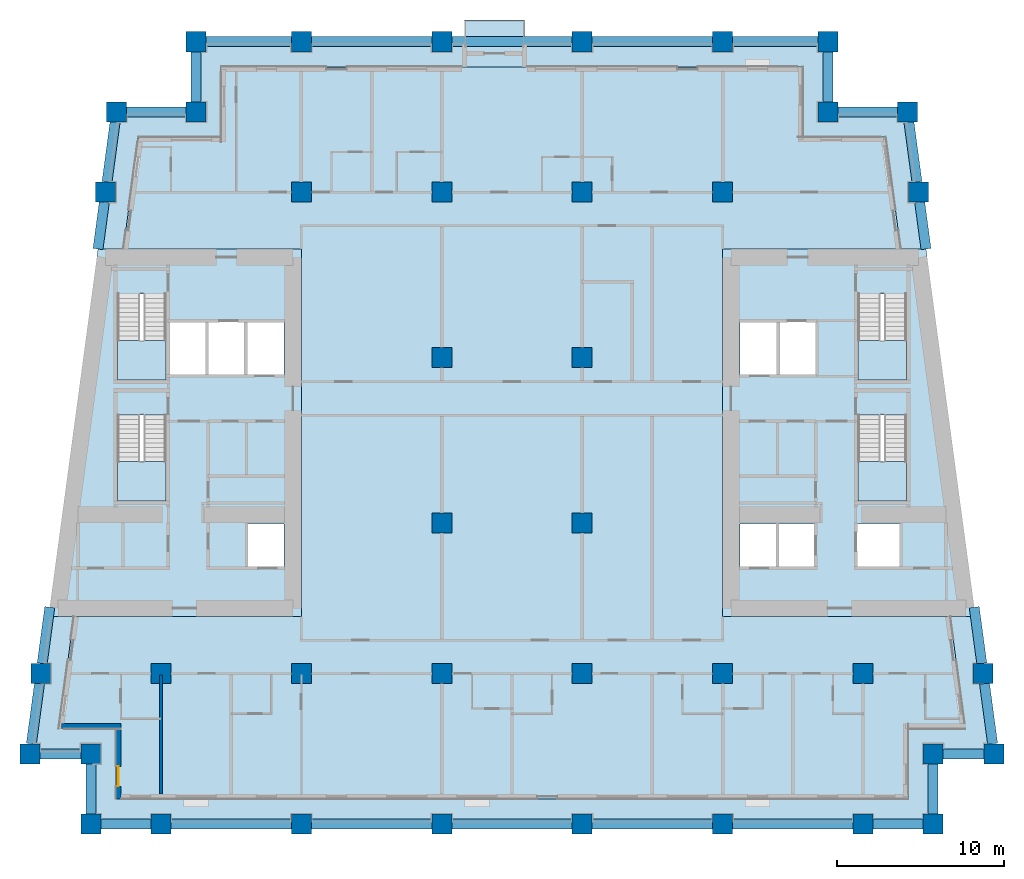
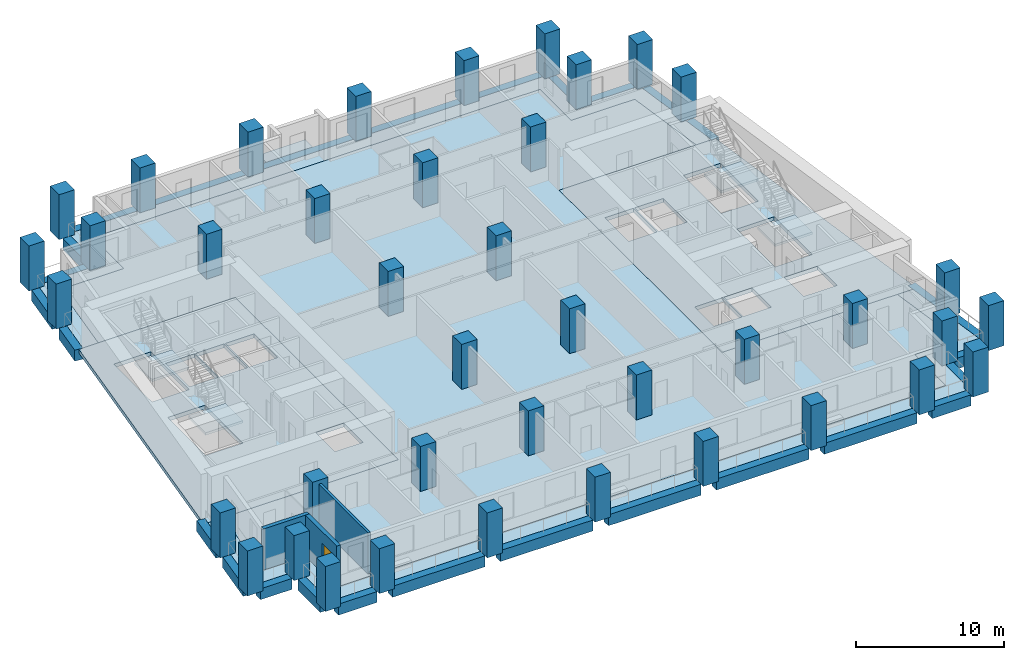
# One storey, part 1 of 13: 40 columns, 28 beams, 10 slabs, 3 walls, 1 door, 1 opening, 4 elements without a shape of their own.
"""IFC4 building model written with IfcOpenShell, lengths in metres."""

from ifc_helpers import new_model, si_unit, direction, frame, frame_2d, origin, origin_2d, place, context, subcontext, project, spatial, polyline, rectangle, outline, extrude, material, layer, layer_set, material_profile, profile_set, type_object, element, fill, aggregate, save


model = new_model("IFC4")

# Units and contexts
model_context = context("Model", 3, precision=1e-05, world=origin(), true_north=direction((0.0, 1.0)))
body_context = subcontext(model_context, "Body", "Model", "MODEL_VIEW")
ifc_project = project(units=[si_unit("LENGTHUNIT", "METRE"), si_unit("AREAUNIT", "SQUARE_METRE"), si_unit("VOLUMEUNIT", "CUBIC_METRE"), si_unit("PLANEANGLEUNIT", "RADIAN"), si_unit("MASSUNIT", "GRAM", prefix="KILO")], contexts=[model_context])

# Site, building, storey
site_placement = place(None, origin())
site = spatial("IfcSite", under=ifc_project, at=site_placement, CompositionType="ELEMENT")
building_placement = place(site_placement, origin())
building = spatial("IfcBuilding", under=site, at=building_placement, Name="Candeia Pilgrim Tower and Theatre", CompositionType="ELEMENT")
storey_placement = place(building_placement, frame((0.0, 0.0, 128.0)))
storey = spatial("IfcBuildingStorey", under=building, at=storey_placement, Name="L30", CompositionType="ELEMENT", Elevation=128.0)

# Columns
ifc_material_1 = material(Name="Concrete C70/85", Category="concrete")
ifc_material_profile_1 = material_profile(ifc_material_1, rectangle(XDim=1.199951171875, YDim=1.199951171875, at=origin_2d()))
ifc_profile_set_1 = profile_set([ifc_material_profile_1], Name="Concrete C70/85")
column_type = type_object("IfcColumnType", Name="RC 1200x1200 C70/85", PredefinedType="COLUMN", material=ifc_profile_set_1)
for number, where, z_axis, x_axis, name in (
    (1, (92.39990234375, 98.0, 0.0), (0.0, 0.0, 1.0), (1.0, 0.0, 0.0), "Column A1"),
    (2, (100.800048828125, 98.0, 0.0), (0.0, 0.0, 1.0), (1.0, 0.0, 0.0), "Column A2"),
    (3, (109.199951171875, 98.0, 0.0), (0.0, 0.0, 1.0), (1.0, 0.0, 0.0), "Column A3"),
    (4, (117.60009765625, 98.0, 0.0), (0.0, 0.0, 1.0), (1.0, 0.0, 0.0), "Column A4"),
    (5, (126.0, 98.0, 0.0), (0.0, 0.0, 1.0), (1.0, 0.0, 0.0), "Column A5"),
    (6, (134.39990234375, 98.0, 0.0), (0.0, 0.0, 1.0), (1.0, 0.0, 0.0), "Column A6"),
    (7, (88.199951171875, 98.0, 0.0), (0.0, 0.0, 1.0), (1.0, 0.0, 0.0), "Column AW"),
    (8, (138.60009765625, 98.0, 0.0), (0.0, 0.0, 1.0), (1.0, 0.0, 0.0), "Column AE"),
    (9, (88.199951171875, 102.199951171875, 0.0), (0.0, 0.0, 1.0), (1.0, 0.0, 0.0), "Column NSW"),
    (10, (138.60009765625, 102.199951171875, 0.0), (0.0, 0.0, 1.0), (1.0, 0.0, 0.0), "Column NSE"),
    (11, (94.5, 140.60009765625, 0.0), (0.0, 0.0, 1.0), (1.0, 0.0, 0.0), "Column NNW"),
    (12, (132.300048828125, 140.60009765625, 0.0), (0.0, 0.0, 1.0), (1.0, 0.0, 0.0), "Column NNE"),
    (13, (84.5654296875, 102.199951171875, 0.0), (0.0, 0.0, 1.0), (1.0, 0.0, 0.0), "Column LSW"),
    (14, (142.234619140625, 102.199951171875, 0.0), (0.0, 0.0, 1.0), (1.0, 0.0, 0.0), "Column LSE"),
    (15, (89.734619140625, 140.60009765625, 0.0), (0.0, 0.0, 1.0), (1.0, 0.0, 0.0), "Column LNW"),
    (16, (137.0654296875, 140.60009765625, 0.0), (0.0, 0.0, 1.0), (1.0, 0.0, 0.0), "Column LNE"),
    (17, (92.39990234375, 107.0, 0.0), (0.0, 0.0, 1.0), (1.0, 0.0, 0.0), "Column B1"),
    (18, (100.800048828125, 107.0, 0.0), (0.0, 0.0, 1.0), (1.0, 0.0, 0.0), "Column B2"),
    (19, (109.199951171875, 107.0, 0.0), (0.0, 0.0, 1.0), (1.0, 0.0, 0.0), "Column B3"),
    (20, (117.60009765625, 107.0, 0.0), (0.0, 0.0, 1.0), (1.0, 0.0, 0.0), "Column B4"),
    (21, (126.0, 107.0, 0.0), (0.0, 0.0, 1.0), (1.0, 0.0, 0.0), "Column B5"),
    (22, (134.39990234375, 107.0, 0.0), (0.0, 0.0, 1.0), (1.0, 0.0, 0.0), "Column B6"),
    (23, (85.21142578125, 107.0, 0.0), (0.0, 0.0, 1.0), (1.0, 0.0, 0.0), "Column BW"),
    (24, (141.58837890625, 107.0, 0.0), (0.0, 0.0, 1.0), (1.0, 0.0, 0.0), "Column BE"),
    (25, (109.199951171875, 116.0, 0.0), (0.0, 0.0, 1.0), (1.0, 0.0, 0.0), "Column C3"),
    (26, (117.60009765625, 116.0, 0.0), (0.0, 0.0, 1.0), (1.0, 0.0, 0.0), "Column C4"),
    (27, (109.199951171875, 125.89990234375, 0.0), (0.0, 0.0, 1.0), (1.0, 0.0, 0.0), "Column D3"),
    (28, (117.60009765625, 125.89990234375, 0.0), (0.0, 0.0, 1.0), (1.0, 0.0, 0.0), "Column D4"),
    (29, (100.800048828125, 135.800048828125, 0.0), (0.0, 0.0, 1.0), (1.0, 0.0, 0.0), "Column E2"),
    (30, (109.199951171875, 135.800048828125, 0.0), (0.0, 0.0, 1.0), (1.0, 0.0, 0.0), "Column E3"),
    (31, (117.60009765625, 135.800048828125, 0.0), (0.0, 0.0, 1.0), (1.0, 0.0, 0.0), "Column E4"),
    (32, (126.0, 135.800048828125, 0.0), (0.0, 0.0, 1.0), (1.0, 0.0, 0.0), "Column E5"),
    (33, (89.08837890625, 135.800048828125, 0.0), (0.0, 0.0, 1.0), (1.0, 0.0, 0.0), "Column EW"),
    (34, (137.71142578125, 135.800048828125, 0.0), (0.0, 0.0, 1.0), (1.0, 0.0, 0.0), "Column EE"),
    (35, (100.800048828125, 144.800048828125, 0.0), (0.0, 0.0, 1.0), (1.0, 0.0, 0.0), "Column F2"),
    (36, (109.199951171875, 144.800048828125, 0.0), (0.0, 0.0, 1.0), (1.0, 0.0, 0.0), "Column F3"),
    (37, (117.60009765625, 144.800048828125, 0.0), (0.0, 0.0, 1.0), (1.0, 0.0, 0.0), "Column F4"),
    (38, (126.0, 144.800048828125, 0.0), (0.0, 0.0, 1.0), (1.0, 0.0, 0.0), "Column F5"),
    (39, (94.5, 144.800048828125, 0.0), (0.0, 0.0, 1.0), (1.0, 0.0, 0.0), "Column FW"),
    (40, (132.300048828125, 144.800048828125, 0.0), (0.0, 0.0, 1.0), (1.0, 0.0, 0.0), "Column FE"),
):
    element("IfcColumn", number, at=place(storey_placement, frame(where, z_axis=z_axis, x_axis=x_axis)), inside=storey, type_object=column_type, Name=name, PredefinedType="COLUMN", context=body_context, shape_type="SweptSolid", body=[
        extrude(rectangle(XDim=1.199951171875, YDim=1.199951171875, at=origin_2d()), origin(), (0.0, 0.0, 1.0), 3.699951171875),
    ])

# Beams
ifc_material_profile_2 = material_profile(ifc_material_1, rectangle(XDim=0.60009765625, YDim=0.89990234375, at=origin_2d()))
ifc_profile_set_2 = profile_set([ifc_material_profile_2], Name="Concrete C70/85")
beam_type = type_object("IfcBeamType", Name="RC 600x900 C70/85", PredefinedType="BEAM", material=ifc_profile_set_2)
beam_1_placement = place(storey_placement, frame((88.800048828125, 98.0, -0.449951171875), z_axis=(1.0, 0.0, 0.0), x_axis=(0.0, 1.0, 0.0)))
element("IfcBeam", 41, at=beam_1_placement, inside=storey, type_object=beam_type, Name="Spandrel beam L30-01", PredefinedType="BEAM", context=body_context, shape_type="SweptSolid", body=[
    extrude(rectangle(XDim=0.60009765625, YDim=0.89990234375, at=origin_2d()), origin(), (0.0, 0.0, 1.0), 3.0),
])
beam_2_placement = place(storey_placement, frame((93.0, 98.0, -0.449951171875), z_axis=(1.0, 0.0, 0.0), x_axis=(0.0, 1.0, 0.0)))
element("IfcBeam", 42, at=beam_2_placement, inside=storey, type_object=beam_type, Name="Spandrel beam L30-02", PredefinedType="BEAM", context=body_context, shape_type="SweptSolid", body=[
    extrude(rectangle(XDim=0.60009765625, YDim=0.89990234375, at=origin_2d()), origin(), (0.0, 0.0, 1.0), 7.199951171875),
])
beam_3_placement = place(storey_placement, frame((101.39990234375, 98.0, -0.449951171875), z_axis=(1.0, 0.0, 0.0), x_axis=(0.0, 1.0, 0.0)))
element("IfcBeam", 43, at=beam_3_placement, inside=storey, type_object=beam_type, Name="Spandrel beam L30-03", PredefinedType="BEAM", context=body_context, shape_type="SweptSolid", body=[
    extrude(rectangle(XDim=0.60009765625, YDim=0.89990234375, at=origin_2d()), origin(), (0.0, 0.0, 1.0), 7.2001953125),
])
for number, where, z_axis, x_axis, name in (
    (44, (109.800048828125, 98.0, -0.449951171875), (1.0, 0.0, 0.0), (0.0, 1.0, 0.0), "Spandrel beam L30-04"),
    (45, (118.199951171875, 98.0, -0.449951171875), (1.0, 0.0, 0.0), (0.0, 1.0, 0.0), "Spandrel beam L30-05"),
    (46, (126.60009765625, 98.0, -0.449951171875), (1.0, 0.0, 0.0), (0.0, 1.0, 0.0), "Spandrel beam L30-06"),
):
    element("IfcBeam", number, at=place(storey_placement, frame(where, z_axis=z_axis, x_axis=x_axis)), inside=storey, type_object=beam_type, Name=name, PredefinedType="BEAM", context=body_context, shape_type="SweptSolid", body=[
        extrude(rectangle(XDim=0.60009765625, YDim=0.89990234375, at=origin_2d()), origin(), (0.0, 0.0, 1.0), 7.199951171875),
    ])
for number, where, z_axis, x_axis, name in (
    (47, (135.0, 98.0, -0.449951171875), (1.0, 0.0, 0.0), (0.0, 1.0, 0.0), "Spandrel beam L30-07"),
    (48, (138.60009765625, 98.60009765625, -0.449951171875), (0.0, 1.0, 0.0), (-1.0, 0.0, 0.0), "Spandrel beam L30-08"),
):
    element("IfcBeam", number, at=place(storey_placement, frame(where, z_axis=z_axis, x_axis=x_axis)), inside=storey, type_object=beam_type, Name=name, PredefinedType="BEAM", context=body_context, shape_type="SweptSolid", body=[
        extrude(rectangle(XDim=0.60009765625, YDim=0.89990234375, at=origin_2d()), origin(), (0.0, 0.0, 1.0), 3.0),
    ])
beam_4_placement = place(storey_placement, frame((139.199951171875, 102.199951171875, -0.449951171875), z_axis=(1.0, 0.0, 0.0), x_axis=(0.0, 1.0, 0.0)))
element("IfcBeam", 49, at=beam_4_placement, inside=storey, type_object=beam_type, Name="Spandrel beam L30-09", PredefinedType="BEAM", context=body_context, shape_type="SweptSolid", body=[
    extrude(rectangle(XDim=0.60009765625, YDim=0.89990234375, at=origin_2d()), origin(), (0.0, 0.0, 1.0), 2.4345703125),
])
beam_5_placement = place(storey_placement, frame((142.15380859375, 102.800048828125, -0.449951171875), z_axis=(-0.133418359924, 0.991059807093, 0.0), x_axis=(-0.991059807093, -0.133418359924, 0.0)))
element("IfcBeam", 50, at=beam_5_placement, inside=storey, type_object=beam_type, Name="Spandrel beam L30-10", PredefinedType="BEAM", context=body_context, shape_type="SweptSolid", body=[
    extrude(rectangle(XDim=0.60009765625, YDim=0.89990234375, at=origin_2d()), origin(), (0.0, 0.0, 1.0), 3.63232421875),
])
beam_6_placement = place(storey_placement, frame((141.5078125, 107.60009765625, -0.449951171875), z_axis=(-0.133458165992, 0.99105444751, 0.0), x_axis=(-0.99105444751, -0.133458165992, 0.0)))
element("IfcBeam", 51, at=beam_6_placement, inside=storey, type_object=beam_type, Name="Spandrel beam L30-11", PredefinedType="BEAM", context=body_context, shape_type="SweptSolid", body=[
    extrude(rectangle(XDim=0.60009765625, YDim=0.89990234375, at=origin_2d()), origin(), (0.0, 0.0, 1.0), 3.39697265625),
])
beam_7_placement = place(storey_placement, frame((138.169189453125, 132.39990234375, -0.449951171875), z_axis=(-0.133420173099, 0.991059562998, 0.0), x_axis=(-0.991059562998, -0.133420173099, 0.0)))
element("IfcBeam", 52, at=beam_7_placement, inside=storey, type_object=beam_type, Name="Spandrel beam L30-12", PredefinedType="BEAM", context=body_context, shape_type="SweptSolid", body=[
    extrude(rectangle(XDim=0.60009765625, YDim=0.89990234375, at=origin_2d()), origin(), (0.0, 0.0, 1.0), 2.8251953125),
])
beam_8_placement = place(storey_placement, frame((137.630859375, 136.39990234375, -0.449951171875), z_axis=(-0.133409473196, 0.991061003401, 0.0), x_axis=(-0.991061003401, -0.133409473196, 0.0)))
element("IfcBeam", 53, at=beam_8_placement, inside=storey, type_object=beam_type, Name="Spandrel beam L30-13", PredefinedType="BEAM", context=body_context, shape_type="SweptSolid", body=[
    extrude(rectangle(XDim=0.60009765625, YDim=0.89990234375, at=origin_2d()), origin(), (0.0, 0.0, 1.0), 3.632568359375),
])
beam_9_placement = place(storey_placement, frame((136.46533203125, 140.60009765625, -0.449951171875), z_axis=(-1.0, 0.0, 0.0), x_axis=(0.0, -1.0, 0.0)))
element("IfcBeam", 54, at=beam_9_placement, inside=storey, type_object=beam_type, Name="Spandrel beam L30-14", PredefinedType="BEAM", context=body_context, shape_type="SweptSolid", body=[
    extrude(rectangle(XDim=0.60009765625, YDim=0.89990234375, at=origin_2d()), origin(), (0.0, 0.0, 1.0), 3.5654296875),
])
beam_10_placement = place(storey_placement, frame((132.300048828125, 141.199951171875, -0.449951171875), z_axis=(0.0, 1.0, 0.0), x_axis=(-1.0, 0.0, 0.0)))
element("IfcBeam", 55, at=beam_10_placement, inside=storey, type_object=beam_type, Name="Spandrel beam L30-15", PredefinedType="BEAM", context=body_context, shape_type="SweptSolid", body=[
    extrude(rectangle(XDim=0.60009765625, YDim=0.89990234375, at=origin_2d()), origin(), (0.0, 0.0, 1.0), 3.0),
])
beam_11_placement = place(storey_placement, frame((131.699951171875, 144.800048828125, -0.449951171875), z_axis=(-1.0, 0.0, 0.0), x_axis=(0.0, -1.0, 0.0)))
element("IfcBeam", 56, at=beam_11_placement, inside=storey, type_object=beam_type, Name="Spandrel beam L30-16", PredefinedType="BEAM", context=body_context, shape_type="SweptSolid", body=[
    extrude(rectangle(XDim=0.60009765625, YDim=0.89990234375, at=origin_2d()), origin(), (0.0, 0.0, 1.0), 5.099853515625),
])
for number, where, z_axis, x_axis, name in (
    (57, (125.39990234375, 144.800048828125, -0.449951171875), (-1.0, 0.0, 0.0), (0.0, -1.0, 0.0), "Spandrel beam L30-17"),
    (58, (117.0, 144.800048828125, -0.449951171875), (-1.0, 0.0, 0.0), (0.0, -1.0, 0.0), "Spandrel beam L30-18"),
):
    element("IfcBeam", number, at=place(storey_placement, frame(where, z_axis=z_axis, x_axis=x_axis)), inside=storey, type_object=beam_type, Name=name, PredefinedType="BEAM", context=body_context, shape_type="SweptSolid", body=[
        extrude(rectangle(XDim=0.60009765625, YDim=0.89990234375, at=origin_2d()), origin(), (0.0, 0.0, 1.0), 7.199951171875),
    ])
beam_12_placement = place(storey_placement, frame((108.60009765625, 144.800048828125, -0.449951171875), z_axis=(-1.0, 0.0, 0.0), x_axis=(0.0, -1.0, 0.0)))
element("IfcBeam", 59, at=beam_12_placement, inside=storey, type_object=beam_type, Name="Spandrel beam L30-19", PredefinedType="BEAM", context=body_context, shape_type="SweptSolid", body=[
    extrude(rectangle(XDim=0.60009765625, YDim=0.89990234375, at=origin_2d()), origin(), (0.0, 0.0, 1.0), 7.2001953125),
])
beam_13_placement = place(storey_placement, frame((100.199951171875, 144.800048828125, -0.449951171875), z_axis=(-1.0, 0.0, 0.0), x_axis=(0.0, -1.0, 0.0)))
element("IfcBeam", 60, at=beam_13_placement, inside=storey, type_object=beam_type, Name="Spandrel beam L30-20", PredefinedType="BEAM", context=body_context, shape_type="SweptSolid", body=[
    extrude(rectangle(XDim=0.60009765625, YDim=0.89990234375, at=origin_2d()), origin(), (0.0, 0.0, 1.0), 5.099853515625),
])
beam_14_placement = place(storey_placement, frame((94.5, 144.199951171875, -0.449951171875), z_axis=(0.0, -1.0, 0.0), x_axis=(1.0, 0.0, 0.0)))
element("IfcBeam", 61, at=beam_14_placement, inside=storey, type_object=beam_type, Name="Spandrel beam L30-21", PredefinedType="BEAM", context=body_context, shape_type="SweptSolid", body=[
    extrude(rectangle(XDim=0.60009765625, YDim=0.89990234375, at=origin_2d()), origin(), (0.0, 0.0, 1.0), 3.0),
])
beam_15_placement = place(storey_placement, frame((93.89990234375, 140.60009765625, -0.449951171875), z_axis=(-1.0, 0.0, 0.0), x_axis=(0.0, -1.0, 0.0)))
element("IfcBeam", 62, at=beam_15_placement, inside=storey, type_object=beam_type, Name="Spandrel beam L30-22", PredefinedType="BEAM", context=body_context, shape_type="SweptSolid", body=[
    extrude(rectangle(XDim=0.60009765625, YDim=0.89990234375, at=origin_2d()), origin(), (0.0, 0.0, 1.0), 3.565185546875),
])
beam_16_placement = place(storey_placement, frame((89.65380859375, 140.0, -0.449951171875), z_axis=(-0.133409473196, -0.991061003401, 0.0), x_axis=(0.991061003401, -0.133409473196, 0.0)))
element("IfcBeam", 63, at=beam_16_placement, inside=storey, type_object=beam_type, Name="Spandrel beam L30-23", PredefinedType="BEAM", context=body_context, shape_type="SweptSolid", body=[
    extrude(rectangle(XDim=0.60009765625, YDim=0.89990234375, at=origin_2d()), origin(), (0.0, 0.0, 1.0), 3.632568359375),
])
beam_17_placement = place(storey_placement, frame((89.0078125, 135.199951171875, -0.449951171875), z_axis=(-0.133420173099, -0.991059562998, 0.0), x_axis=(0.991059562998, -0.133420173099, 0.0)))
element("IfcBeam", 64, at=beam_17_placement, inside=storey, type_object=beam_type, Name="Spandrel beam L30-24", PredefinedType="BEAM", context=body_context, shape_type="SweptSolid", body=[
    extrude(rectangle(XDim=0.60009765625, YDim=0.89990234375, at=origin_2d()), origin(), (0.0, 0.0, 1.0), 2.8251953125),
])
beam_18_placement = place(storey_placement, frame((85.74560546875, 110.966796875, -0.449951171875), z_axis=(-0.133458165992, -0.99105444751, 0.0), x_axis=(0.99105444751, -0.133458165992, 0.0)))
element("IfcBeam", 65, at=beam_18_placement, inside=storey, type_object=beam_type, Name="Spandrel beam L30-25", PredefinedType="BEAM", context=body_context, shape_type="SweptSolid", body=[
    extrude(rectangle(XDim=0.60009765625, YDim=0.89990234375, at=origin_2d()), origin(), (0.0, 0.0, 1.0), 3.39697265625),
])
beam_19_placement = place(storey_placement, frame((85.130859375, 106.39990234375, -0.449951171875), z_axis=(-0.133418359924, -0.991059807093, 0.0), x_axis=(0.991059807093, -0.133418359924, 0.0)))
element("IfcBeam", 66, at=beam_19_placement, inside=storey, type_object=beam_type, Name="Spandrel beam L30-26", PredefinedType="BEAM", context=body_context, shape_type="SweptSolid", body=[
    extrude(rectangle(XDim=0.60009765625, YDim=0.89990234375, at=origin_2d()), origin(), (0.0, 0.0, 1.0), 3.63232421875),
])
beam_20_placement = place(storey_placement, frame((85.165283203125, 102.199951171875, -0.449951171875), z_axis=(1.0, 0.0, 0.0), x_axis=(0.0, 1.0, 0.0)))
element("IfcBeam", 67, at=beam_20_placement, inside=storey, type_object=beam_type, Name="Spandrel beam L30-27", PredefinedType="BEAM", context=body_context, shape_type="SweptSolid", body=[
    extrude(rectangle(XDim=0.60009765625, YDim=0.89990234375, at=origin_2d()), origin(), (0.0, 0.0, 1.0), 2.434814453125),
])
beam_21_placement = place(storey_placement, frame((88.199951171875, 101.60009765625, -0.449951171875), z_axis=(0.0, -1.0, 0.0), x_axis=(1.0, 0.0, 0.0)))
element("IfcBeam", 68, at=beam_21_placement, inside=storey, type_object=beam_type, Name="Spandrel beam L30-28", PredefinedType="BEAM", context=body_context, shape_type="SweptSolid", body=[
    extrude(rectangle(XDim=0.60009765625, YDim=0.89990234375, at=origin_2d()), origin(), (0.0, 0.0, 1.0), 3.0),
])

# Slabs
ifc_material_2 = material(Name="Concrete C40/50", Category="concrete")
ifc_layer_1 = layer(ifc_material_2, 0.25)
ifc_layer_set_1 = layer_set([ifc_layer_1], Name="BK1 balcony slab 250")
slab_type_1 = type_object("IfcSlabType", Name="BK1 balcony slab 250", PredefinedType="USERDEFINED", material=ifc_layer_set_1)
slab_1_placement = place(storey_placement, frame((0.0, 0.0, -0.25)))
element("IfcSlab", 69, at=slab_1_placement, inside=storey, type_object=slab_type_1, Name="Balcony L30", ObjectType="BALCONY", PredefinedType="USERDEFINED", context=body_context, shape_type="SweptSolid", body=[
    extrude(outline(polyline([(110.550048828125, 144.5), (114.14990234375, 144.5), (114.14990234375, 146.10009765625), (110.550048828125, 146.10009765625), (110.550048828125, 144.5)])), origin(), (0.0, 0.0, 1.0), 0.25),
])
ifc_material_3 = material(Name="Concrete C60/75", Category="concrete")
ifc_layer_2 = layer(ifc_material_3, 0.320068359375)
ifc_layer_set_2 = layer_set([ifc_layer_2], Name="FS-CORE 320 core floor")
slab_type_2 = type_object("IfcSlabType", Name="FS-CORE 320 core floor", PredefinedType="FLOOR", material=ifc_layer_set_2)
slab_2_placement = place(storey_placement, frame((0.0, 0.0, -0.320068359375)))
element("IfcSlab", 70, at=slab_2_placement, inside=storey, type_object=slab_type_2, Name="Core floor W L30", PredefinedType="FLOOR", context=body_context, shape_type="SweptSolid", body=[
    extrude(outline(polyline([(100.800048828125, 132.39990234375), (100.800048828125, 110.39990234375), (85.669189453125, 110.39990234375), (88.630859375, 132.39990234375), (100.800048828125, 132.39990234375)]), holes=[polyline([(97.525634765625, 128.050048828125), (97.525634765625, 124.85009765625), (99.75, 124.85009765625), (99.75, 128.050048828125), (97.525634765625, 128.050048828125)]), polyline([(97.5634765625, 113.35009765625), (99.75, 113.35009765625), (99.75, 115.949951171875), (97.5634765625, 115.949951171875), (97.5634765625, 113.35009765625)]), polyline([(95.201416015625, 124.85009765625), (97.42578125, 124.85009765625), (97.42578125, 128.050048828125), (95.201416015625, 128.050048828125), (95.201416015625, 124.85009765625)]), polyline([(92.876953125, 128.050048828125), (92.876953125, 124.85009765625), (95.101318359375, 124.85009765625), (95.101318359375, 128.050048828125), (92.876953125, 128.050048828125)]), polyline([(89.802001953125, 122.455078125), (89.802001953125, 117.324951171875), (92.701904296875, 117.324951171875), (92.701904296875, 122.455078125), (89.802001953125, 122.455078125)]), polyline([(89.802001953125, 129.705078125), (89.802001953125, 124.574951171875), (92.701904296875, 124.574951171875), (92.701904296875, 129.705078125), (89.802001953125, 129.705078125)])]), origin(), (0.0, 0.0, 1.0), 0.320068359375),
])
slab_3_placement = place(storey_placement, frame((0.0, 0.0, -0.320068359375)))
element("IfcSlab", 71, at=slab_3_placement, inside=storey, type_object=slab_type_2, Name="Core floor E L30", PredefinedType="FLOOR", context=body_context, shape_type="SweptSolid", body=[
    extrude(outline(polyline([(138.169189453125, 132.39990234375), (141.130859375, 110.39990234375), (126.0, 110.39990234375), (126.0, 132.39990234375), (138.169189453125, 132.39990234375)]), holes=[polyline([(134.097900390625, 122.455078125), (134.097900390625, 117.324951171875), (136.998046875, 117.324951171875), (136.998046875, 122.455078125), (134.097900390625, 122.455078125)]), polyline([(134.097900390625, 129.705078125), (134.097900390625, 124.574951171875), (136.998046875, 124.574951171875), (136.998046875, 129.705078125), (134.097900390625, 129.705078125)]), polyline([(136.6220703125, 115.949951171875), (134.02294921875, 115.949951171875), (134.02294921875, 113.35009765625), (136.6220703125, 113.35009765625), (136.6220703125, 115.949951171875)]), polyline([(131.5986328125, 128.050048828125), (129.374267578125, 128.050048828125), (129.374267578125, 124.85009765625), (131.5986328125, 124.85009765625), (131.5986328125, 128.050048828125)]), polyline([(131.52294921875, 115.949951171875), (129.33642578125, 115.949951171875), (129.33642578125, 113.35009765625), (131.52294921875, 113.35009765625), (131.52294921875, 115.949951171875)]), polyline([(129.2744140625, 128.050048828125), (127.050048828125, 128.050048828125), (127.050048828125, 124.85009765625), (129.2744140625, 124.85009765625), (129.2744140625, 128.050048828125)]), polyline([(127.050048828125, 115.949951171875), (127.050048828125, 113.35009765625), (129.236572265625, 113.35009765625), (129.236572265625, 115.949951171875), (127.050048828125, 115.949951171875)])]), origin(), (0.0, 0.0, 1.0), 0.320068359375),
])
ifc_material_4 = material(Name="Concrete C50/60", Category="concrete")
ifc_layer_3 = layer(ifc_material_4, 0.320068359375)
ifc_layer_set_3 = layer_set([ifc_layer_3], Name="Floor slab 320 C50/60")
slab_type_3 = type_object("IfcSlabType", Name="Floor slab 320 C50/60", PredefinedType="FLOOR", material=ifc_layer_set_3)
slab_4_placement = place(storey_placement, frame((0.0, 0.0, -0.320068359375)))
element("IfcSlab", 72, at=slab_4_placement, inside=storey, type_object=slab_type_3, Name="Floor slab L30", PredefinedType="FLOOR", context=body_context, shape_type="SweptSolid", body=[
    extrude(outline(polyline([(96.0, 139.10009765625), (96.0, 143.300048828125), (130.800048828125, 143.300048828125), (130.800048828125, 139.10009765625), (135.753662109375, 139.10009765625), (136.65576171875, 132.39990234375), (126.0, 132.39990234375), (126.0, 110.39990234375), (139.6171875, 110.39990234375), (140.51904296875, 103.699951171875), (137.10009765625, 103.699951171875), (137.10009765625, 99.5), (89.699951171875, 99.5), (89.699951171875, 103.699951171875), (86.28076171875, 103.699951171875), (87.182861328125, 110.39990234375), (100.800048828125, 110.39990234375), (100.800048828125, 132.39990234375), (90.144287109375, 132.39990234375), (91.046142578125, 139.10009765625), (96.0, 139.10009765625)])), origin(), (0.0, 0.0, 1.0), 0.320068359375),
])
ifc_layer_4 = layer(ifc_material_2, 0.25)
ifc_layer_set_4 = layer_set([ifc_layer_4], Name="Loggia slab 250 C40/50")
slab_type_4 = type_object("IfcSlabType", Name="Loggia slab 250 C40/50", PredefinedType="FLOOR", material=ifc_layer_set_4)
slab_5_placement = place(storey_placement, frame((0.0, 0.0, -0.25)))
element("IfcSlab", 73, at=slab_5_placement, inside=storey, type_object=slab_type_4, Name="Loggia slab L30 1", PredefinedType="FLOOR", context=body_context, shape_type="SweptSolid", body=[
    extrude(outline(polyline([(87.182861328125, 110.39990234375), (86.28076171875, 103.699951171875), (89.699951171875, 103.699951171875), (89.699951171875, 99.5), (137.10009765625, 99.5), (137.10009765625, 103.699951171875), (140.51904296875, 103.699951171875), (139.6171875, 110.39990234375), (140.828125, 110.39990234375), (141.8916015625, 102.5), (138.300048828125, 102.5), (138.300048828125, 98.300048828125), (88.5, 98.300048828125), (88.5, 102.5), (84.908447265625, 102.5), (85.971923828125, 110.39990234375), (87.182861328125, 110.39990234375)])), origin(), (0.0, 0.0, 1.0), 0.25),
])
slab_6_placement = place(storey_placement, frame((0.0, 0.0, -0.25)))
element("IfcSlab", 74, at=slab_6_placement, inside=storey, type_object=slab_type_4, Name="Loggia slab L30 2", PredefinedType="FLOOR", context=body_context, shape_type="SweptSolid", body=[
    extrude(outline(polyline([(136.65576171875, 132.39990234375), (135.753662109375, 139.10009765625), (130.800048828125, 139.10009765625), (130.800048828125, 143.300048828125), (96.0, 143.300048828125), (96.0, 139.10009765625), (91.046142578125, 139.10009765625), (90.144287109375, 132.39990234375), (88.93359375, 132.39990234375), (89.996826171875, 140.300048828125), (94.800048828125, 140.300048828125), (94.800048828125, 144.5), (132.0, 144.5), (132.0, 140.300048828125), (136.802978515625, 140.300048828125), (137.866455078125, 132.39990234375), (136.65576171875, 132.39990234375)])), origin(), (0.0, 0.0, 1.0), 0.25),
])

# Stair, slab
stair_type = type_object("IfcStairType", Name="ST-TWR dog-leg escape stair", PredefinedType="HALF_TURN_STAIR", material=ifc_material_2)
stair_1_placement = place(storey_placement, origin())
stair_1 = element("IfcStair", 75, at=stair_1_placement, inside=storey, type_object=stair_type, Name="L30 Escape stair ST1", PredefinedType="HALF_TURN_STAIR")
ifc_layer_5 = layer(ifc_material_2, 0.199951171875)
ifc_layer_set_5 = layer_set([ifc_layer_5], Name="SL-LANDING stair landing")
slab_type_5 = type_object("IfcSlabType", Name="SL-LANDING stair landing", PredefinedType="LANDING", material=ifc_layer_set_5)
slab_7_placement = place(storey_placement, frame((0.0, 0.0, 1.64990234375)))
slab_7 = element("IfcSlab", 76, at=slab_7_placement, type_object=slab_type_5, Name="ST1 landing 1", PredefinedType="LANDING", context=body_context, shape_type="SweptSolid", body=[
    extrude(outline(polyline([(89.802001953125, 119.675048828125), (89.802001953125, 117.324951171875), (92.701904296875, 117.324951171875), (92.701904296875, 119.675048828125), (89.802001953125, 119.675048828125)])), origin(), (0.0, 0.0, 1.0), 0.2001953125),
])
aggregate(stair_1, [slab_7])

stair_2_placement = place(storey_placement, origin())
stair_2 = element("IfcStair", 77, at=stair_2_placement, inside=storey, type_object=stair_type, Name="L30 Escape stair ST2", PredefinedType="HALF_TURN_STAIR")
slab_8_placement = place(storey_placement, frame((0.0, 0.0, 1.64990234375)))
slab_8 = element("IfcSlab", 78, at=slab_8_placement, type_object=slab_type_5, Name="ST2 landing 1", PredefinedType="LANDING", context=body_context, shape_type="SweptSolid", body=[
    extrude(outline(polyline([(89.802001953125, 126.925048828125), (89.802001953125, 124.574951171875), (92.701904296875, 124.574951171875), (92.701904296875, 126.925048828125), (89.802001953125, 126.925048828125)])), origin(), (0.0, 0.0, 1.0), 0.2001953125),
])
aggregate(stair_2, [slab_8])

stair_3_placement = place(storey_placement, origin())
stair_3 = element("IfcStair", 79, at=stair_3_placement, inside=storey, type_object=stair_type, Name="L30 Escape stair ST3", PredefinedType="HALF_TURN_STAIR")
slab_9_placement = place(storey_placement, frame((0.0, 0.0, 1.64990234375)))
slab_9 = element("IfcSlab", 80, at=slab_9_placement, type_object=slab_type_5, Name="ST3 landing 1", PredefinedType="LANDING", context=body_context, shape_type="SweptSolid", body=[
    extrude(outline(polyline([(134.097900390625, 119.675048828125), (134.097900390625, 117.324951171875), (136.998046875, 117.324951171875), (136.998046875, 119.675048828125), (134.097900390625, 119.675048828125)])), origin(), (0.0, 0.0, 1.0), 0.2001953125),
])
aggregate(stair_3, [slab_9])

stair_4_placement = place(storey_placement, origin())
stair_4 = element("IfcStair", 81, at=stair_4_placement, inside=storey, type_object=stair_type, Name="L30 Escape stair ST4", PredefinedType="HALF_TURN_STAIR")
slab_10_placement = place(storey_placement, frame((0.0, 0.0, 1.64990234375)))
slab_10 = element("IfcSlab", 82, at=slab_10_placement, type_object=slab_type_5, Name="ST4 landing 1", PredefinedType="LANDING", context=body_context, shape_type="SweptSolid", body=[
    extrude(outline(polyline([(134.097900390625, 126.925048828125), (134.097900390625, 124.574951171875), (136.998046875, 124.574951171875), (136.998046875, 126.925048828125), (134.097900390625, 126.925048828125)])), origin(), (0.0, 0.0, 1.0), 0.2001953125),
])
aggregate(stair_4, [slab_10])

# Wall
ifc_material_5 = material(Name="Ceramic block masonry", Category="masonry")
ifc_layer_6 = layer(ifc_material_5, 0.300048828125)
ifc_layer_set_6 = layer_set([ifc_layer_6], Name="EW1 glazing-line wall 300")
wall_type_1 = type_object("IfcWallType", Name="EW1 glazing-line wall 300", PredefinedType="SOLIDWALL", material=ifc_layer_set_6)
wall_1_placement = place(storey_placement, frame((86.452392578125, 103.85009765625, 0.0), z_axis=(0.0, 0.0, 1.0), x_axis=(1.0, 0.0, 0.0)))
element("IfcWall", 83, at=wall_1_placement, inside=storey, type_object=wall_type_1, Name="External wall L30-10.0", PredefinedType="SOLIDWALL", context=body_context, shape_type="SweptSolid", body=[
    extrude(rectangle(XDim=3.547607421875, YDim=0.300048828125, at=frame_2d((1.77392578125, 0.0))), origin(), (0.0, 0.0, 1.0), 3.3798828125),
])

# Wall, opening, door
wall_2_placement = place(storey_placement, frame((89.85009765625, 103.85009765625, 0.0), z_axis=(0.0, 0.0, 1.0), x_axis=(0.0, -1.0, 0.0)))
wall_2 = element("IfcWall", 84, at=wall_2_placement, inside=storey, type_object=wall_type_1, Name="External wall L30-11.0", PredefinedType="SOLIDWALL", context=body_context, shape_type="SweptSolid", body=[
    extrude(rectangle(XDim=4.35009765625, YDim=0.300048828125, at=frame_2d((2.175048828125, 0.0))), origin(), (0.0, 0.0, 1.0), 3.3798828125),
])
opening_placement = place(wall_2_placement, frame((2.39990234375, 0.0, 0.0)))
opening = element("IfcOpeningElement", 85, at=opening_placement, cuts=wall_2, Name="Opening L30-ED309", PredefinedType="OPENING", context=body_context, shape_type="SweptSolid", body=[
    extrude(rectangle(XDim=1.199951171875, YDim=2.39990234375, at=frame_2d((0.60009765625, 1.199951171875))), frame((0.0, 0.16015625, 0.0), z_axis=(0.0, -1.0, 0.0), x_axis=(1.0, 0.0, 0.0)), (0.0, 0.0, 1.0), 0.320068359375),
])
ifc_material_6 = material(Name="Aluminium framed glazed door", Category="aluminium")
door_type = type_object("IfcDoorType", Name="Loggia door 1200x2400", OperationType="DOUBLE_DOOR_SINGLE_SWING", PredefinedType="DOOR", material=ifc_material_6)
door_placement = place(opening_placement, origin())
door = element("IfcDoor", 86, at=door_placement, inside=storey, type_object=door_type, Name="Loggia door L30-ED309", OperationType="DOUBLE_DOOR_SINGLE_SWING", OverallHeight=2.39990234375, OverallWidth=1.199951171875, PredefinedType="DOOR", context=body_context, shape_type="SweptSolid", body=[
    extrude(rectangle(XDim=1.199951171875, YDim=2.39990234375, at=frame_2d((0.60009765625, 1.199951171875))), frame((0.0, 0.02490234375, 0.0), z_axis=(0.0, -1.0, 0.0), x_axis=(1.0, 0.0, 0.0)), (0.0, 0.0, 1.0), 0.050048828125),
])
fill(opening, door)

# Wall
ifc_material_7 = material(Name="Gypsum board partition on steel studs", Category="steel")
ifc_layer_7 = layer(ifc_material_7, 0.199951171875)
ifc_layer_set_7 = layer_set([ifc_layer_7], Name="PW-200 party wall")
wall_type_2 = type_object("IfcWallType", Name="PW-200 party wall", PredefinedType="PARTITIONING", material=ifc_layer_set_7)
wall_3_placement = place(storey_placement, frame((92.39990234375, 99.7900390625, 0.0), z_axis=(0.0, 0.0, 1.0), x_axis=(0.0, 1.0, 0.0)))
element("IfcWall", 87, at=wall_3_placement, inside=storey, type_object=wall_type_2, Name="Party wall L30-054", PredefinedType="PARTITIONING", context=body_context, shape_type="SweptSolid", body=[
    extrude(rectangle(XDim=7.135009765625, YDim=0.199951171875, at=frame_2d((3.5673828125, 0.0))), origin(), (0.0, 0.0, 1.0), 3.3798828125),
])

save(model, "model.ifc")
